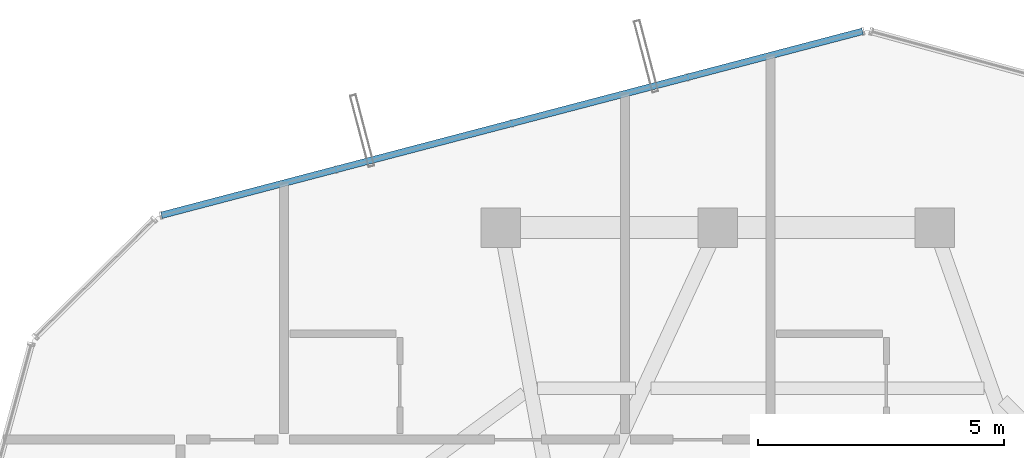
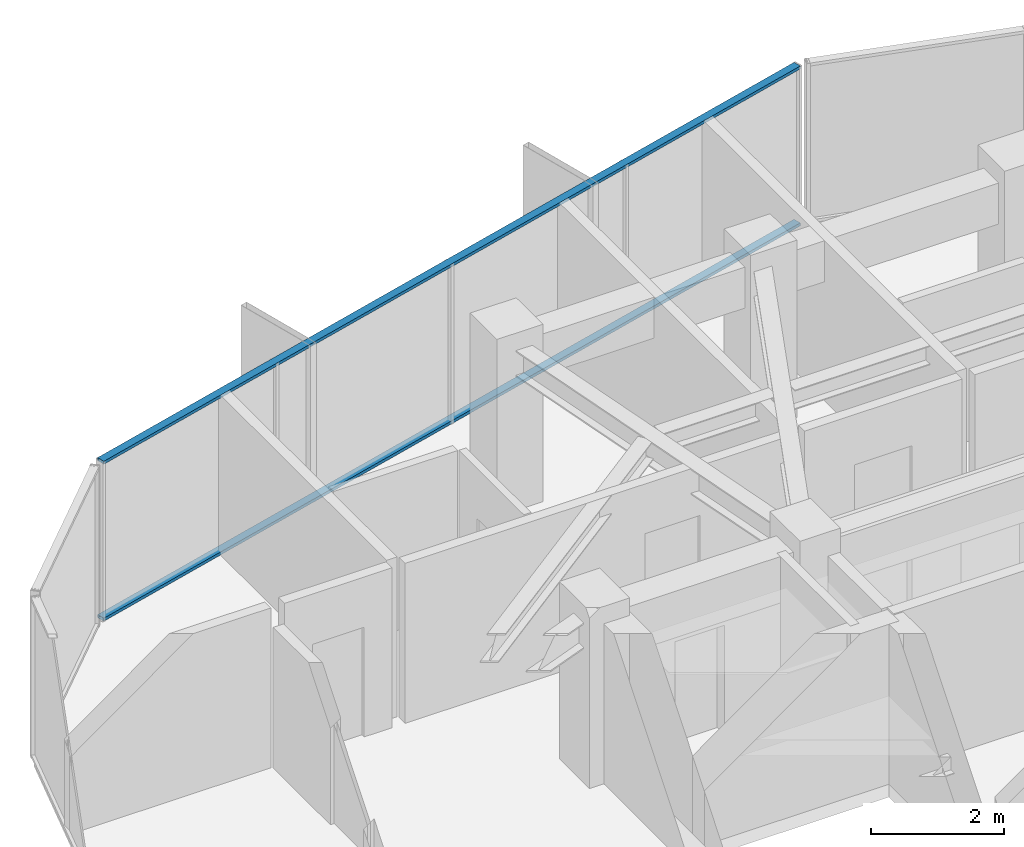
# One storey, part 22 of 29: 2 members, 1 element without a shape of its own.
"""IFC4 building model written with IfcOpenShell, lengths in metres."""

from ifc_helpers import new_model, si_unit, direction, frame, origin, origin_2d, place, context, subcontext, project, spatial, hollow_rectangle, extrude, source, transform, mapped, material, layer, layer_set, material_profile, profile_set, type_object, element, aggregate, save


model = new_model("IFC4")

# Units and contexts
model_context = context("Model", 3, precision=1e-05, world=origin(), true_north=direction((0.0, 1.0)))
body_context = subcontext(model_context, "Body", "Model", "MODEL_VIEW")
ifc_project = project(units=[si_unit("LENGTHUNIT", "METRE"), si_unit("AREAUNIT", "SQUARE_METRE"), si_unit("VOLUMEUNIT", "CUBIC_METRE"), si_unit("PLANEANGLEUNIT", "RADIAN"), si_unit("MASSUNIT", "GRAM", prefix="KILO")], contexts=[model_context])

# Site, building, storey
site_placement = place(None, origin())
site = spatial("IfcSite", under=ifc_project, at=site_placement, CompositionType="ELEMENT")
building_placement = place(site_placement, origin())
building = spatial("IfcBuilding", under=site, at=building_placement, Name="Veraguas Prism Commons", CompositionType="ELEMENT")
storey_placement = place(building_placement, frame((0.0, 0.0, 261.0)))
storey = spatial("IfcBuildingStorey", under=building, at=storey_placement, Name="L74", CompositionType="ELEMENT", Elevation=261.0)

# Curtain wall, members
ifc_material = material(Name="Anodised aluminium EN AW-6063 T6", Category="aluminium")
ifc_layer = layer(ifc_material, 0.14990234375, Name="Unitised Flush Curtain Wall Zone 4", Category="aluminium")
ifc_layer_set = layer_set([ifc_layer], Name="Anodised aluminium EN AW-6063 T6")
curtain_wall_type = type_object("IfcCurtainWallType", Name="Unitised Flush Curtain Wall Zone 4", PredefinedType="NOTDEFINED", material=ifc_layer_set)
curtain_wall_placement = place(storey_placement, origin())
curtain_wall = element("IfcCurtainWall", 1, at=curtain_wall_placement, inside=storey, type_object=curtain_wall_type, Name="Tower Facade Curtain Wall L74-F2", PredefinedType="NOTDEFINED")
ifc_material_profile = material_profile(ifc_material, hollow_rectangle(XDim=0.054931640625, YDim=0.135009765625, WallThickness=0.0029296875, at=origin_2d()), Name="AL55X135X3")
ifc_profile_set = profile_set([ifc_material_profile], Name="Anodised aluminium EN AW-6063 T6")
member_type = type_object("IfcMemberType", Name="Curtain Wall Transom Standard AL 55x135x3", PredefinedType="USERDEFINED", material=ifc_profile_set)
shared_shape = source(origin(), body_context, "Body", "SweptSolid", [
    extrude(hollow_rectangle(XDim=0.054931640625, YDim=0.135009765625, WallThickness=0.0029296875, at=origin_2d()), origin(), (0.0, 0.0, 1.0), 14.70654296875),
])
member_1_placement = place(storey_placement, frame((26.93701171875, 41.781982421875, 0.027587890625), z_axis=(-0.967262858675, -0.253776599055, 0.0), x_axis=(0.0, 0.0, 1.0)))
member_1 = element("IfcMember", 2, at=member_1_placement, type_object=member_type, Name="CW-Z4 Transom 1", ObjectType="TRANSOM", PredefinedType="USERDEFINED", context=body_context, shape_type="MappedRepresentation", body=[
    mapped(shared_shape, transform((0.0, 0.0, 0.0), scale=1.0)),
])
member_2_placement = place(storey_placement, frame((26.93701171875, 41.781982421875, 2.902587890625), z_axis=(-0.967262858675, -0.253776599055, 0.0), x_axis=(0.0, 0.0, 1.0)))
member_2 = element("IfcMember", 3, at=member_2_placement, type_object=member_type, Name="CW-Z4 Transom 2", ObjectType="TRANSOM", PredefinedType="USERDEFINED", context=body_context, shape_type="MappedRepresentation", body=[
    mapped(shared_shape, transform((0.0, 0.0, 0.0), scale=1.0)),
])
aggregate(curtain_wall, [member_1, member_2])

save(model, "model.ifc")
